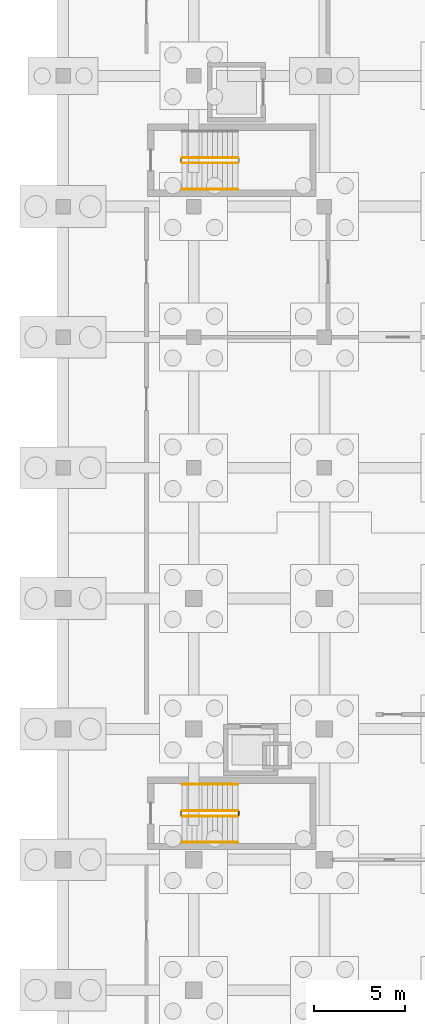
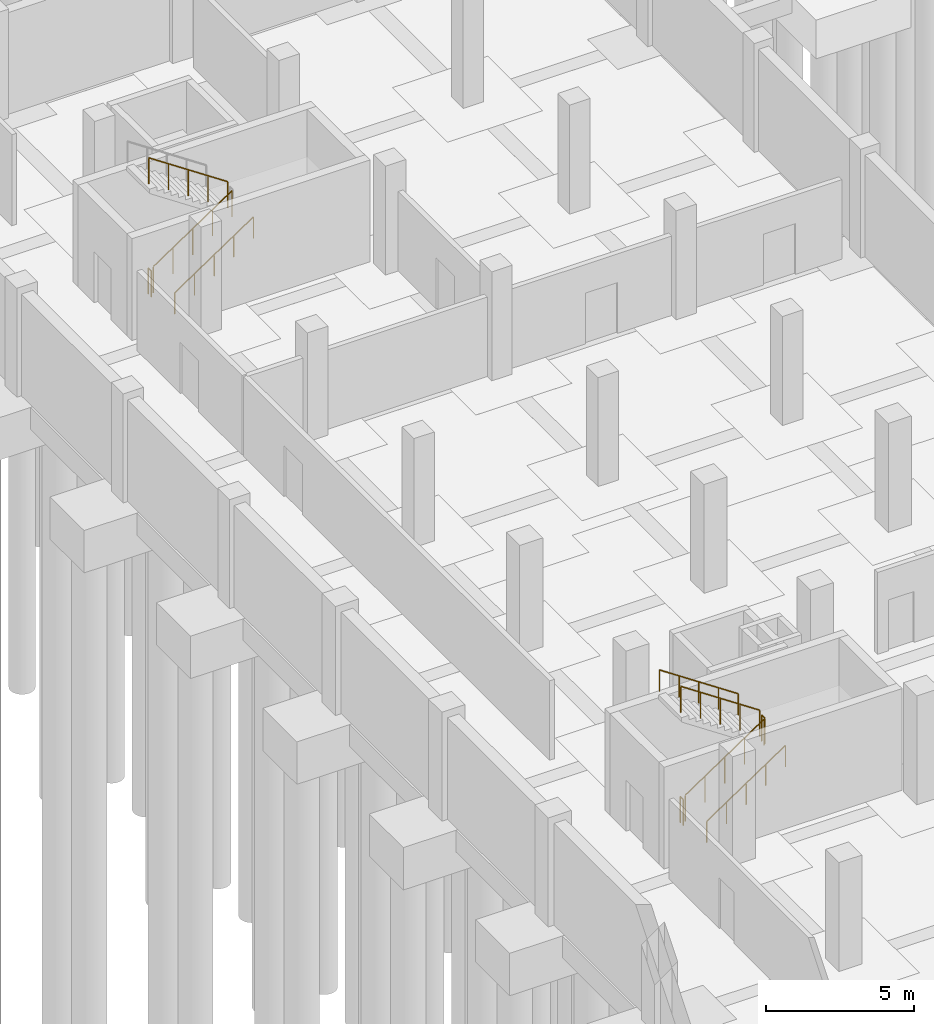
# One storey, part 34 of 36: 10 railings.
"""IFC4 building model written with IfcOpenShell, lengths in metres."""

from ifc_helpers import new_model, si_unit, direction, frame, origin, origin_2d, place, context, subcontext, project, spatial, circle, extrude, material, type_object, element, save


model = new_model("IFC4")

# Units and contexts
model_context = context("Model", 3, precision=1e-05, world=origin(), true_north=direction((0.0, 1.0)))
body_context = subcontext(model_context, "Body", "Model", "MODEL_VIEW")
ifc_project = project(units=[si_unit("LENGTHUNIT", "METRE"), si_unit("AREAUNIT", "SQUARE_METRE"), si_unit("VOLUMEUNIT", "CUBIC_METRE"), si_unit("PLANEANGLEUNIT", "RADIAN"), si_unit("MASSUNIT", "GRAM", prefix="KILO")], contexts=[model_context])

# Site, building, storey
site_placement = place(None, origin())
site = spatial("IfcSite", under=ifc_project, at=site_placement, CompositionType="ELEMENT")
building_placement = place(site_placement, origin())
building = spatial("IfcBuilding", under=site, at=building_placement, Name="Kalmorath City Hall", CompositionType="ELEMENT")
storey_placement = place(building_placement, frame((0.0, 0.0, -4.5)))
storey = spatial("IfcBuildingStorey", under=building, at=storey_placement, Name="B1", CompositionType="ELEMENT", Elevation=-4.5)

# Railings
ifc_material_1 = material(Name="Painted steel guardrail", Category="steel")
railing_type_1 = type_object("IfcRailingType", Name="Protected stair guardrail 1100", PredefinedType="GUARDRAIL", material=ifc_material_1)
railing_1_placement = place(storey_placement, frame((6.550048828125, 52.800048828125, 0.1875)))
element("IfcRailing", 1, at=railing_1_placement, inside=storey, type_object=railing_type_1, Name="B1 ST-3 stair guard 1", PredefinedType="GUARDRAIL", context=body_context, shape_type="SweptSolid", body=[
    extrude(circle(Radius=0.02392578125, at=origin_2d()), frame((0.0, 0.0, 1.076171875), z_axis=(0.830893310487, 0.0, 0.556431762742), x_axis=(0.0, 1.0, 0.0)), (0.0, 0.0, 1.0), 3.70654296875),
    extrude(circle(Radius=0.02099609375, at=origin_2d()), origin(), (0.0, 0.0, 1.0), 1.052001953125),
    extrude(circle(Radius=0.02099609375, at=origin_2d()), frame((0.77001953125, 0.0, 0.515625)), (0.0, 0.0, 1.0), 1.052001953125),
    extrude(circle(Radius=0.02099609375, at=origin_2d()), frame((1.5400390625, 0.0, 1.03125)), (0.0, 0.0, 1.0), 1.052001953125),
    extrude(circle(Radius=0.02099609375, at=origin_2d()), frame((2.309814453125, 0.0, 1.546875)), (0.0, 0.0, 1.0), 1.052001953125),
    extrude(circle(Radius=0.02099609375, at=origin_2d()), frame((3.079833984375, 0.0, 2.0625)), (0.0, 0.0, 1.0), 1.052001953125),
])
railing_2_placement = place(storey_placement, frame((9.679931640625, 52.85009765625, 2.25)))
element("IfcRailing", 2, at=railing_2_placement, inside=storey, type_object=railing_type_1, Name="B1 ST-3 stair guard 2", PredefinedType="GUARDRAIL", context=body_context, shape_type="SweptSolid", body=[
    extrude(circle(Radius=0.02392578125, at=origin_2d()), frame((0.0, 0.0, 1.076171875), z_axis=(0.0, 1.0, 0.0), x_axis=(-1.0, 0.0, 0.0)), (0.0, 0.0, 1.0), 0.199951171875),
    extrude(circle(Radius=0.02099609375, at=origin_2d()), origin(), (0.0, 0.0, 1.0), 1.052001953125),
    extrude(circle(Radius=0.02099609375, at=origin_2d()), frame((0.0, 0.199951171875, 0.0)), (0.0, 0.0, 1.0), 1.052001953125),
])
railing_3_placement = place(storey_placement, frame((9.6298828125, 53.10009765625, 2.4375)))
element("IfcRailing", 3, at=railing_3_placement, inside=storey, type_object=railing_type_1, Name="B1 ST-3 stair guard 3", PredefinedType="GUARDRAIL", context=body_context, shape_type="SweptSolid", body=[
    extrude(circle(Radius=0.02392578125, at=origin_2d()), frame((0.0, 0.0, 1.076171875), z_axis=(-0.830893310487, 0.0, 0.556431762742), x_axis=(0.0, -1.0, 0.0)), (0.0, 0.0, 1.0), 3.70654296875),
    extrude(circle(Radius=0.02099609375, at=origin_2d()), origin(), (0.0, 0.0, 1.0), 1.052001953125),
    extrude(circle(Radius=0.02099609375, at=origin_2d()), frame((-0.77001953125, 0.0, 0.515625)), (0.0, 0.0, 1.0), 1.052001953125),
    extrude(circle(Radius=0.02099609375, at=origin_2d()), frame((-1.5400390625, 0.0, 1.03125)), (0.0, 0.0, 1.0), 1.052001953125),
    extrude(circle(Radius=0.02099609375, at=origin_2d()), frame((-2.309814453125, 0.0, 1.546875)), (0.0, 0.0, 1.0), 1.052001953125),
    extrude(circle(Radius=0.02099609375, at=origin_2d()), frame((-3.079833984375, 0.0, 2.0625)), (0.0, 0.0, 1.0), 1.052001953125),
])
railing_4_placement = place(storey_placement, frame((6.5, 52.85009765625, 0.0)))
element("IfcRailing", 4, at=railing_4_placement, inside=storey, type_object=railing_type_1, Name="B1 ST-3 stair guard 4", PredefinedType="GUARDRAIL", context=body_context, shape_type="SweptSolid", body=[
    extrude(circle(Radius=0.02392578125, at=origin_2d()), frame((0.0, 0.0, 1.076171875), z_axis=(0.0, 1.0, 0.0), x_axis=(-1.0, 0.0, 0.0)), (0.0, 0.0, 1.0), 0.199951171875),
    extrude(circle(Radius=0.02099609375, at=origin_2d()), origin(), (0.0, 0.0, 1.0), 1.052001953125),
    extrude(circle(Radius=0.02099609375, at=origin_2d()), frame((0.0, 0.199951171875, 0.0)), (0.0, 0.0, 1.0), 1.052001953125),
])
railing_5_placement = place(storey_placement, frame((6.550048828125, 88.800048828125, 0.1875)))
element("IfcRailing", 5, at=railing_5_placement, inside=storey, type_object=railing_type_1, Name="B1 ST-4 stair guard 1", PredefinedType="GUARDRAIL", context=body_context, shape_type="SweptSolid", body=[
    extrude(circle(Radius=0.02392578125, at=origin_2d()), frame((0.0, 0.0, 1.076171875), z_axis=(0.830893310487, 0.0, 0.556431762742), x_axis=(0.0, 1.0, 0.0)), (0.0, 0.0, 1.0), 3.70654296875),
    extrude(circle(Radius=0.02099609375, at=origin_2d()), origin(), (0.0, 0.0, 1.0), 1.052001953125),
    extrude(circle(Radius=0.02099609375, at=origin_2d()), frame((0.77001953125, 0.0, 0.515625)), (0.0, 0.0, 1.0), 1.052001953125),
    extrude(circle(Radius=0.02099609375, at=origin_2d()), frame((1.5400390625, 0.0, 1.03125)), (0.0, 0.0, 1.0), 1.052001953125),
    extrude(circle(Radius=0.02099609375, at=origin_2d()), frame((2.309814453125, 0.0, 1.546875)), (0.0, 0.0, 1.0), 1.052001953125),
    extrude(circle(Radius=0.02099609375, at=origin_2d()), frame((3.079833984375, 0.0, 2.0625)), (0.0, 0.0, 1.0), 1.052001953125),
])
railing_6_placement = place(storey_placement, frame((9.6298828125, 89.10009765625, 2.4375)))
element("IfcRailing", 6, at=railing_6_placement, inside=storey, type_object=railing_type_1, Name="B1 ST-4 stair guard 3", PredefinedType="GUARDRAIL", context=body_context, shape_type="SweptSolid", body=[
    extrude(circle(Radius=0.02392578125, at=origin_2d()), frame((0.0, 0.0, 1.076171875), z_axis=(-0.830893310487, 0.0, 0.556431762742), x_axis=(0.0, -1.0, 0.0)), (0.0, 0.0, 1.0), 3.70654296875),
    extrude(circle(Radius=0.02099609375, at=origin_2d()), origin(), (0.0, 0.0, 1.0), 1.052001953125),
    extrude(circle(Radius=0.02099609375, at=origin_2d()), frame((-0.77001953125, 0.0, 0.515625)), (0.0, 0.0, 1.0), 1.052001953125),
    extrude(circle(Radius=0.02099609375, at=origin_2d()), frame((-1.5400390625, 0.0, 1.03125)), (0.0, 0.0, 1.0), 1.052001953125),
    extrude(circle(Radius=0.02099609375, at=origin_2d()), frame((-2.309814453125, 0.0, 1.546875)), (0.0, 0.0, 1.0), 1.052001953125),
    extrude(circle(Radius=0.02099609375, at=origin_2d()), frame((-3.079833984375, 0.0, 2.0625)), (0.0, 0.0, 1.0), 1.052001953125),
])
railing_7_placement = place(storey_placement, frame((6.5, 88.85009765625, 0.0)))
element("IfcRailing", 7, at=railing_7_placement, inside=storey, type_object=railing_type_1, Name="B1 ST-4 stair guard 4", PredefinedType="GUARDRAIL", context=body_context, shape_type="SweptSolid", body=[
    extrude(circle(Radius=0.02392578125, at=origin_2d()), frame((0.0, 0.0, 1.076171875), z_axis=(0.0, 1.0, 0.0), x_axis=(-1.0, 0.0, 0.0)), (0.0, 0.0, 1.0), 0.199951171875),
    extrude(circle(Radius=0.02099609375, at=origin_2d()), origin(), (0.0, 0.0, 1.0), 1.052001953125),
    extrude(circle(Radius=0.02099609375, at=origin_2d()), frame((0.0, 0.199951171875, 0.0)), (0.0, 0.0, 1.0), 1.052001953125),
])
ifc_material_2 = material(Name="Brushed stainless steel handrail", Category="steel")
railing_type_2 = type_object("IfcRailingType", Name="Stair pitch handrail 900", PredefinedType="HANDRAIL", material=ifc_material_2)
railing_8_placement = place(storey_placement, frame((6.550048828125, 51.35009765625, 0.1875)))
element("IfcRailing", 8, at=railing_8_placement, inside=storey, type_object=railing_type_2, Name="B1 ST-3 stair handrail 1", PredefinedType="HANDRAIL", context=body_context, shape_type="SweptSolid", body=[
    extrude(circle(Radius=0.02392578125, at=origin_2d()), frame((0.0, 0.0, 0.8759765625), z_axis=(0.830893310487, 0.0, 0.556431762742), x_axis=(0.0, 1.0, 0.0)), (0.0, 0.0, 1.0), 3.70654296875),
    extrude(circle(Radius=0.02099609375, at=origin_2d()), origin(), (0.0, 0.0, 1.0), 0.851806640625),
    extrude(circle(Radius=0.02099609375, at=origin_2d()), frame((0.77001953125, 0.0, 0.515625)), (0.0, 0.0, 1.0), 0.851806640625),
    extrude(circle(Radius=0.02099609375, at=origin_2d()), frame((1.5400390625, 0.0, 1.03125)), (0.0, 0.0, 1.0), 0.851806640625),
    extrude(circle(Radius=0.02099609375, at=origin_2d()), frame((2.309814453125, 0.0, 1.546875)), (0.0, 0.0, 1.0), 0.851806640625),
    extrude(circle(Radius=0.02099609375, at=origin_2d()), frame((3.079833984375, 0.0, 2.0625)), (0.0, 0.0, 1.0), 0.851806640625),
])
railing_9_placement = place(storey_placement, frame((9.6298828125, 54.550048828125, 2.4375)))
element("IfcRailing", 9, at=railing_9_placement, inside=storey, type_object=railing_type_2, Name="B1 ST-3 stair handrail 2", PredefinedType="HANDRAIL", context=body_context, shape_type="SweptSolid", body=[
    extrude(circle(Radius=0.02392578125, at=origin_2d()), frame((0.0, 0.0, 0.8759765625), z_axis=(-0.830893310487, 0.0, 0.556431762742), x_axis=(0.0, -1.0, 0.0)), (0.0, 0.0, 1.0), 3.70654296875),
    extrude(circle(Radius=0.02099609375, at=origin_2d()), origin(), (0.0, 0.0, 1.0), 0.851806640625),
    extrude(circle(Radius=0.02099609375, at=origin_2d()), frame((-0.77001953125, 0.0, 0.515625)), (0.0, 0.0, 1.0), 0.851806640625),
    extrude(circle(Radius=0.02099609375, at=origin_2d()), frame((-1.5400390625, 0.0, 1.03125)), (0.0, 0.0, 1.0), 0.851806640625),
    extrude(circle(Radius=0.02099609375, at=origin_2d()), frame((-2.309814453125, 0.0, 1.546875)), (0.0, 0.0, 1.0), 0.851806640625),
    extrude(circle(Radius=0.02099609375, at=origin_2d()), frame((-3.079833984375, 0.0, 2.0625)), (0.0, 0.0, 1.0), 0.851806640625),
])
railing_10_placement = place(storey_placement, frame((6.550048828125, 87.35009765625, 0.1875)))
element("IfcRailing", 10, at=railing_10_placement, inside=storey, type_object=railing_type_2, Name="B1 ST-4 stair handrail 1", PredefinedType="HANDRAIL", context=body_context, shape_type="SweptSolid", body=[
    extrude(circle(Radius=0.02392578125, at=origin_2d()), frame((0.0, 0.0, 0.8759765625), z_axis=(0.830893310487, 0.0, 0.556431762742), x_axis=(0.0, 1.0, 0.0)), (0.0, 0.0, 1.0), 3.70654296875),
    extrude(circle(Radius=0.02099609375, at=origin_2d()), origin(), (0.0, 0.0, 1.0), 0.851806640625),
    extrude(circle(Radius=0.02099609375, at=origin_2d()), frame((0.77001953125, 0.0, 0.515625)), (0.0, 0.0, 1.0), 0.851806640625),
    extrude(circle(Radius=0.02099609375, at=origin_2d()), frame((1.5400390625, 0.0, 1.03125)), (0.0, 0.0, 1.0), 0.851806640625),
    extrude(circle(Radius=0.02099609375, at=origin_2d()), frame((2.309814453125, 0.0, 1.546875)), (0.0, 0.0, 1.0), 0.851806640625),
    extrude(circle(Radius=0.02099609375, at=origin_2d()), frame((3.079833984375, 0.0, 2.0625)), (0.0, 0.0, 1.0), 0.851806640625),
])

save(model, "model.ifc")
